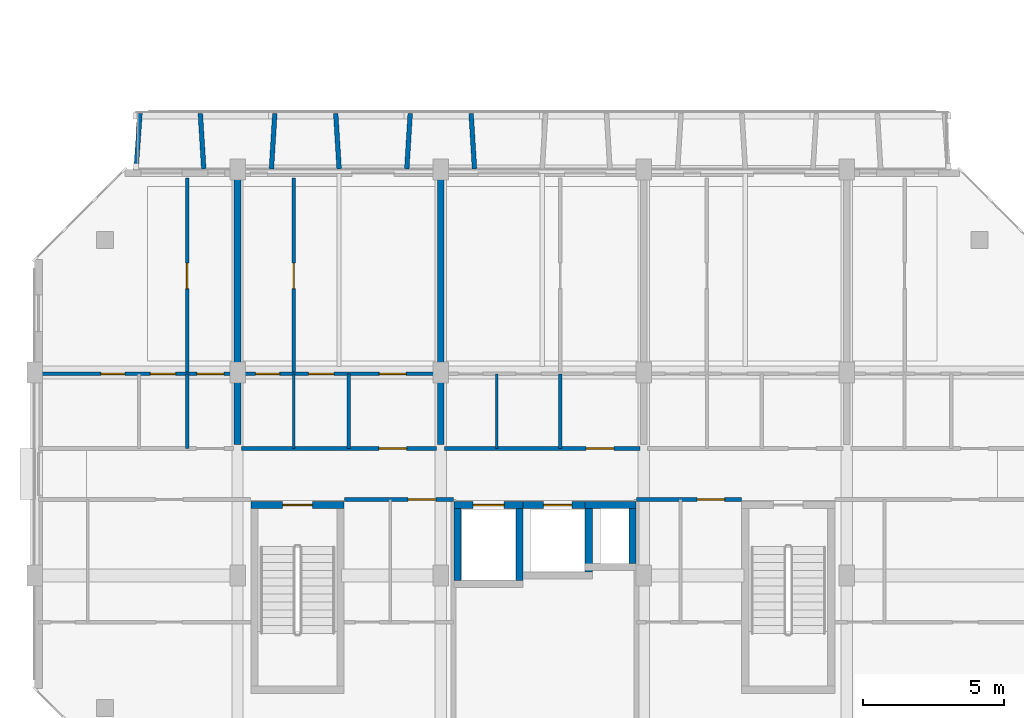
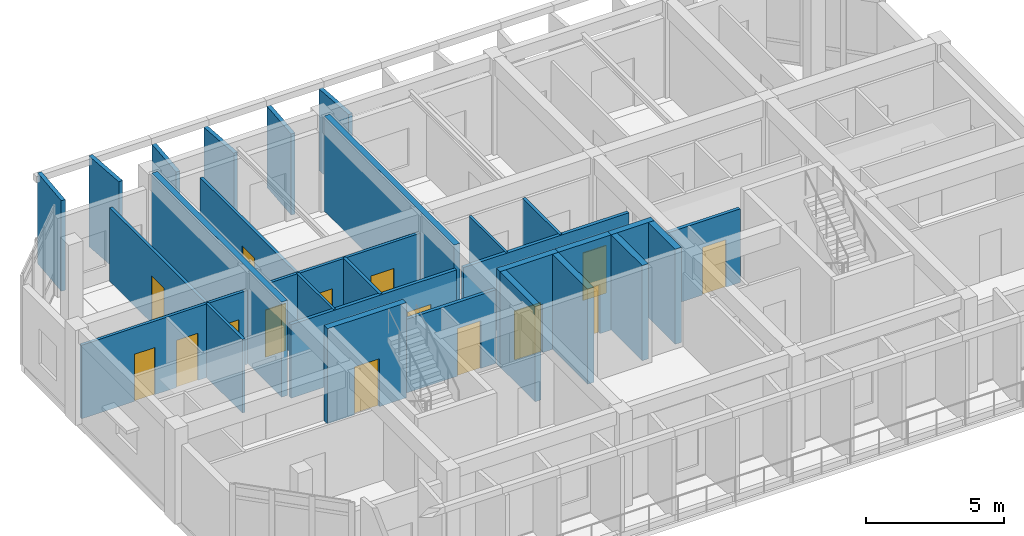
# One storey, part 52 of 85: 29 walls, 15 doors, 15 openings.
"""IFC4 building model written with IfcOpenShell, lengths in metres."""

from ifc_helpers import new_model, si_unit, direction, frame, frame_2d, origin, place, context, subcontext, project, spatial, rectangle, extrude, material, layer, layer_set, type_object, element, fill, save


model = new_model("IFC4")

# Units and contexts
model_context = context("Model", 3, precision=1e-05, world=origin(), true_north=direction((0.0, 1.0)))
body_context = subcontext(model_context, "Body", "Model", "MODEL_VIEW")
ifc_project = project(units=[si_unit("LENGTHUNIT", "METRE"), si_unit("AREAUNIT", "SQUARE_METRE"), si_unit("VOLUMEUNIT", "CUBIC_METRE"), si_unit("PLANEANGLEUNIT", "RADIAN"), si_unit("MASSUNIT", "GRAM", prefix="KILO")], contexts=[model_context])

# Site, building, storey
site_placement = place(None, origin())
site = spatial("IfcSite", under=ifc_project, at=site_placement, CompositionType="ELEMENT")
building_placement = place(site_placement, origin())
building = spatial("IfcBuilding", under=site, at=building_placement, Name="Ochrevale Crest", CompositionType="ELEMENT")
storey_placement = place(building_placement, frame((0.0, 0.0, 4.5)))
storey = spatial("IfcBuildingStorey", under=building, at=storey_placement, Name="L01", CompositionType="ELEMENT", Elevation=4.5)

# Wall, opening, door
ifc_material_1 = material(Name="Gypsum plasterboard", Category="gypsum")
ifc_layer_1 = layer(ifc_material_1, 0.139892578125)
ifc_layer_set_1 = layer_set([ifc_layer_1], Name="Gypsum plasterboard")
wall_type_1 = type_object("IfcWallType", Name="WL-COR-140", PredefinedType="PARTITIONING", material=ifc_layer_set_1)
wall_1_placement = place(storey_placement, frame((7.340087890625, 83.699951171875, 0.0), z_axis=(0.0, 0.0, 1.0), x_axis=(1.0, 0.0, 0.0)))
wall_1 = element("IfcWall", 1, at=wall_1_placement, inside=storey, type_object=wall_type_1, Name="Apartment B-L01-U2 corridor wall", PredefinedType="PARTITIONING", context=body_context, shape_type="SweptSolid", body=[
    extrude(rectangle(XDim=6.919921875, YDim=0.139892578125, at=frame_2d((3.4599609375, 0.0))), origin(), (0.0, 0.0, 1.0), 3.25),
])
opening_1_placement = place(wall_1_placement, frame((4.8701171875, 0.0, 0.0)))
opening_1 = element("IfcOpeningElement", 2, at=opening_1_placement, cuts=wall_1, Name="Opening FD01", PredefinedType="OPENING", context=body_context, shape_type="SweptSolid", body=[
    extrude(rectangle(XDim=0.97998046875, YDim=2.10009765625, at=frame_2d((0.489990234375, 1.050048828125))), frame((0.0, 0.080078125, 0.0), z_axis=(0.0, -1.0, 0.0), x_axis=(1.0, 0.0, 0.0)), (0.0, 0.0, 1.0), 0.159912109375),
])
ifc_material_2 = material(Name="Solid-core FSC hardwood", Category="wood")
door_type_1 = type_object("IfcDoorType", Name="DR-APT-950", OperationType="NOTDEFINED", PredefinedType="DOOR", material=ifc_material_2)
door_1_placement = place(opening_1_placement, origin())
door_1 = element("IfcDoor", 3, at=door_1_placement, inside=storey, type_object=door_type_1, Name="Apartment B-L01-U2 entrance door", OperationType="SINGLE_SWING_LEFT", OverallHeight=2.10009765625, OverallWidth=0.97998046875, PredefinedType="DOOR", context=body_context, shape_type="SweptSolid", body=[
    extrude(rectangle(XDim=0.97998046875, YDim=2.10009765625, at=frame_2d((0.489990234375, 1.050048828125))), frame((0.0, 0.02490234375, 0.0), z_axis=(0.0, -1.0, 0.0), x_axis=(1.0, 0.0, 0.0)), (0.0, 0.0, 1.0), 0.050048828125),
])
fill(opening_1, door_1)

wall_2_placement = place(storey_placement, frame((14.5400390625, 83.699951171875, 0.0), z_axis=(0.0, 0.0, 1.0), x_axis=(1.0, 0.0, 0.0)))
wall_2 = element("IfcWall", 4, at=wall_2_placement, inside=storey, type_object=wall_type_1, Name="Apartment B-L01-U3 corridor wall", PredefinedType="PARTITIONING", context=body_context, shape_type="SweptSolid", body=[
    extrude(rectangle(XDim=6.919921875, YDim=0.139892578125, at=frame_2d((3.4599609375, 0.0))), origin(), (0.0, 0.0, 1.0), 3.25),
])
opening_2_placement = place(wall_2_placement, frame((6.0, 0.0, 0.0), z_axis=(0.0, 0.0, 1.0), x_axis=(-1.0, 0.0, 0.0)))
opening_2 = element("IfcOpeningElement", 5, at=opening_2_placement, cuts=wall_2, Name="Opening FD01", PredefinedType="OPENING", context=body_context, shape_type="SweptSolid", body=[
    extrude(rectangle(XDim=0.97998046875, YDim=2.10009765625, at=frame_2d((0.489990234375, 1.050048828125))), frame((0.0, 0.080078125, 0.0), z_axis=(0.0, -1.0, 0.0), x_axis=(1.0, 0.0, 0.0)), (0.0, 0.0, 1.0), 0.159912109375),
])
door_2_placement = place(opening_2_placement, origin())
door_2 = element("IfcDoor", 6, at=door_2_placement, inside=storey, type_object=door_type_1, Name="Apartment B-L01-U3 entrance door", OperationType="SINGLE_SWING_RIGHT", OverallHeight=2.10009765625, OverallWidth=0.97998046875, PredefinedType="DOOR", context=body_context, shape_type="SweptSolid", body=[
    extrude(rectangle(XDim=0.97998046875, YDim=2.10009765625, at=frame_2d((0.489990234375, 1.050048828125))), frame((0.0, 0.02490234375, 0.0), z_axis=(0.0, -1.0, 0.0), x_axis=(1.0, 0.0, 0.0)), (0.0, 0.0, 1.0), 0.050048828125),
])
fill(opening_2, door_2)

wall_3_placement = place(storey_placement, frame((10.989990234375, 81.89990234375, 0.0), z_axis=(0.0, 0.0, 1.0), x_axis=(1.0, 0.0, 0.0)))
wall_3 = element("IfcWall", 7, at=wall_3_placement, inside=storey, type_object=wall_type_1, Name="Suite B-L01-MW corridor wall", PredefinedType="PARTITIONING", context=body_context, shape_type="SweptSolid", body=[
    extrude(rectangle(XDim=3.8701171875, YDim=0.139892578125, at=frame_2d((1.93505859375, 0.0))), origin(), (0.0, 0.0, 1.0), 3.25),
])
opening_3_placement = place(wall_3_placement, frame((3.23779296875, 0.0, 0.0), z_axis=(0.0, 0.0, 1.0), x_axis=(-1.0, 0.0, 0.0)))
opening_3 = element("IfcOpeningElement", 8, at=opening_3_placement, cuts=wall_3, Name="Opening FD01", PredefinedType="OPENING", context=body_context, shape_type="SweptSolid", body=[
    extrude(rectangle(XDim=0.97998046875, YDim=2.10009765625, at=frame_2d((0.489990234375, 1.050048828125))), frame((0.0, 0.080078125, 0.0), z_axis=(0.0, -1.0, 0.0), x_axis=(1.0, 0.0, 0.0)), (0.0, 0.0, 1.0), 0.159912109375),
])
door_3_placement = place(opening_3_placement, origin())
door_3 = element("IfcDoor", 9, at=door_3_placement, inside=storey, type_object=door_type_1, Name="Suite B-L01-MW entrance door", OperationType="SINGLE_SWING_RIGHT", OverallHeight=2.10009765625, OverallWidth=0.97998046875, PredefinedType="DOOR", context=body_context, shape_type="SweptSolid", body=[
    extrude(rectangle(XDim=0.97998046875, YDim=2.10009765625, at=frame_2d((0.489990234375, 1.050048828125))), frame((0.0, 0.02490234375, 0.0), z_axis=(0.0, -1.0, 0.0), x_axis=(1.0, 0.0, 0.0)), (0.0, 0.0, 1.0), 0.050048828125),
])
fill(opening_3, door_3)

wall_4_placement = place(storey_placement, frame((21.340087890625, 81.89990234375, 0.0), z_axis=(0.0, 0.0, 1.0), x_axis=(1.0, 0.0, 0.0)))
wall_4 = element("IfcWall", 10, at=wall_4_placement, inside=storey, type_object=wall_type_1, Name="Suite B-L01-ME corridor wall", PredefinedType="PARTITIONING", context=body_context, shape_type="SweptSolid", body=[
    extrude(rectangle(XDim=3.719970703125, YDim=0.139892578125, at=frame_2d((1.85986328125, 0.0))), origin(), (0.0, 0.0, 1.0), 3.25),
])
opening_4_placement = place(wall_4_placement, frame((2.151123046875, 0.0, 0.0)))
opening_4 = element("IfcOpeningElement", 11, at=opening_4_placement, cuts=wall_4, Name="Opening FD01", PredefinedType="OPENING", context=body_context, shape_type="SweptSolid", body=[
    extrude(rectangle(XDim=0.97998046875, YDim=2.10009765625, at=frame_2d((0.489990234375, 1.050048828125))), frame((0.0, 0.080078125, 0.0), z_axis=(0.0, -1.0, 0.0), x_axis=(1.0, 0.0, 0.0)), (0.0, 0.0, 1.0), 0.159912109375),
])
door_4_placement = place(opening_4_placement, origin())
door_4 = element("IfcDoor", 12, at=door_4_placement, inside=storey, type_object=door_type_1, Name="Suite B-L01-ME entrance door", OperationType="SINGLE_SWING_LEFT", OverallHeight=2.10009765625, OverallWidth=0.97998046875, PredefinedType="DOOR", context=body_context, shape_type="SweptSolid", body=[
    extrude(rectangle(XDim=0.97998046875, YDim=2.10009765625, at=frame_2d((0.489990234375, 1.050048828125))), frame((0.0, 0.02490234375, 0.0), z_axis=(0.0, -1.0, 0.0), x_axis=(1.0, 0.0, 0.0)), (0.0, 0.0, 1.0), 0.050048828125),
])
fill(opening_4, door_4)

ifc_material_3 = material(Name="Precast concrete C50/60", Category="concrete")
ifc_layer_2 = layer(ifc_material_3, 0.2548828125)
ifc_layer_set_2 = layer_set([ifc_layer_2], Name="Precast concrete C50/60")
wall_type_2 = type_object("IfcWallType", Name="WL-CORE-255", PredefinedType="SHEAR", material=ifc_layer_set_2)
wall_5_placement = place(storey_placement, frame((7.672607421875, 81.699951171875, 0.0), z_axis=(0.0, 0.0, 1.0), x_axis=(1.0, 0.0, 0.0)))
wall_5 = element("IfcWall", 13, at=wall_5_placement, inside=storey, type_object=wall_type_2, Name="Block B L01 Stair 1 precast core shear wall N", PredefinedType="SHEAR", context=body_context, shape_type="SweptSolid", body=[
    extrude(rectangle(XDim=3.304931640625, YDim=0.2548828125, at=frame_2d((1.65234375, 0.0))), origin(), (0.0, 0.0, 1.0), 4.199951171875),
])
opening_5_placement = place(wall_5_placement, frame((2.177490234375, 0.0, 0.0), z_axis=(0.0, 0.0, 1.0), x_axis=(-1.0, 0.0, 0.0)))
opening_5 = element("IfcOpeningElement", 14, at=opening_5_placement, cuts=wall_5, Name="Opening FD03", PredefinedType="OPENING", context=body_context, shape_type="SweptSolid", body=[
    extrude(rectangle(XDim=1.050048828125, YDim=2.1201171875, at=frame_2d((0.52490234375, 1.06005859375))), frame((0.0, 0.137451171875, 0.0), z_axis=(0.0, -1.0, 0.0), x_axis=(1.0, 0.0, 0.0)), (0.0, 0.0, 1.0), 0.27490234375),
])
door_type_2 = type_object("IfcDoorType", Name="DR-ST-1050", OperationType="NOTDEFINED", PredefinedType="DOOR", material=ifc_material_2)
door_5_placement = place(opening_5_placement, origin())
door_5 = element("IfcDoor", 15, at=door_5_placement, inside=storey, type_object=door_type_2, Name="Block B L01 fire stair 1 door", OperationType="SINGLE_SWING_RIGHT", OverallHeight=2.1201171875, OverallWidth=1.050048828125, PredefinedType="DOOR", context=body_context, shape_type="SweptSolid", body=[
    extrude(rectangle(XDim=1.050048828125, YDim=2.1201171875, at=frame_2d((0.52490234375, 1.06005859375))), frame((0.0, 0.02490234375, 0.0), z_axis=(0.0, -1.0, 0.0), x_axis=(1.0, 0.0, 0.0)), (0.0, 0.0, 1.0), 0.050048828125),
])
fill(opening_5, door_5)

wall_6_placement = place(storey_placement, frame((14.87255859375, 81.699951171875, 0.0), z_axis=(0.0, 0.0, 1.0), x_axis=(1.0, 0.0, 0.0)))
wall_6 = element("IfcWall", 16, at=wall_6_placement, inside=storey, type_object=wall_type_2, Name="Block B L01 Lift 1 precast shaft shear wall N", PredefinedType="SHEAR", context=body_context, shape_type="SweptSolid", body=[
    extrude(rectangle(XDim=2.454833984375, YDim=0.2548828125, at=frame_2d((1.2275390625, 0.0))), origin(), (0.0, 0.0, 1.0), 4.199951171875),
])
opening_6_placement = place(wall_6_placement, frame((0.677490234375, 0.0, 0.0)))
opening_6 = element("IfcOpeningElement", 17, at=opening_6_placement, cuts=wall_6, Name="Opening LD01", PredefinedType="OPENING", context=body_context, shape_type="SweptSolid", body=[
    extrude(rectangle(XDim=1.10009765625, YDim=2.14990234375, at=frame_2d((0.550048828125, 1.074951171875))), frame((0.0, 0.137451171875, 0.0), z_axis=(0.0, -1.0, 0.0), x_axis=(1.0, 0.0, 0.0)), (0.0, 0.0, 1.0), 0.27490234375),
])
door_type_3 = type_object("IfcDoorType", Name="DR-LIFT-1100", OperationType="NOTDEFINED", PredefinedType="DOOR", material=ifc_material_2)
door_6_placement = place(opening_6_placement, origin())
door_6 = element("IfcDoor", 18, at=door_6_placement, inside=storey, type_object=door_type_3, Name="Lift LF-B1 L01 sliding landing door", OperationType="SLIDING_TO_LEFT", OverallHeight=2.14990234375, OverallWidth=1.10009765625, PredefinedType="DOOR", context=body_context, shape_type="SweptSolid", body=[
    extrude(rectangle(XDim=1.10009765625, YDim=2.14990234375, at=frame_2d((0.550048828125, 1.074951171875))), frame((0.0, 0.02490234375, 0.0), z_axis=(0.0, -1.0, 0.0), x_axis=(1.0, 0.0, 0.0)), (0.0, 0.0, 1.0), 0.050048828125),
])
fill(opening_6, door_6)

# Walls
for number, where, z_axis, x_axis, name in (
    (19, (15.0, 79.027587890625, 0.0), (0.0, 0.0, 1.0), (0.0, 1.0, 0.0), "Block B L01 Lift 1 precast shaft shear wall W"),
    (20, (17.199951171875, 79.027587890625, 0.0), (0.0, 0.0, 1.0), (0.0, 1.0, 0.0), "Block B L01 Lift 1 precast shaft shear wall E"),
):
    element("IfcWall", number, at=place(storey_placement, frame(where, z_axis=z_axis, x_axis=x_axis)), inside=storey, type_object=wall_type_2, Name=name, PredefinedType="SHEAR", context=body_context, shape_type="SweptSolid", body=[
        extrude(rectangle(XDim=2.544921875, YDim=0.2548828125, at=frame_2d((1.2724609375, 0.0))), origin(), (0.0, 0.0, 1.0), 4.199951171875),
    ])

# Wall, opening, door
wall_7_placement = place(storey_placement, frame((17.322509765625, 81.699951171875, 0.0), z_axis=(0.0, 0.0, 1.0), x_axis=(1.0, 0.0, 0.0)))
wall_7 = element("IfcWall", 21, at=wall_7_placement, inside=storey, type_object=wall_type_2, Name="Block B L01 Lift 2 precast shaft shear wall N", PredefinedType="SHEAR", context=body_context, shape_type="SweptSolid", body=[
    extrude(rectangle(XDim=2.455078125, YDim=0.2548828125, at=frame_2d((1.2275390625, 0.0))), origin(), (0.0, 0.0, 1.0), 4.199951171875),
])
opening_7_placement = place(wall_7_placement, frame((0.7275390625, 0.0, 0.0)))
opening_7 = element("IfcOpeningElement", 22, at=opening_7_placement, cuts=wall_7, Name="Opening LD02", PredefinedType="OPENING", context=body_context, shape_type="SweptSolid", body=[
    extrude(rectangle(XDim=1.0, YDim=2.14990234375, at=frame_2d((0.5, 1.074951171875))), frame((0.0, 0.137451171875, 0.0), z_axis=(0.0, -1.0, 0.0), x_axis=(1.0, 0.0, 0.0)), (0.0, 0.0, 1.0), 0.27490234375),
])
door_type_4 = type_object("IfcDoorType", Name="DR-LIFT-1000", OperationType="NOTDEFINED", PredefinedType="DOOR", material=ifc_material_2)
door_7_placement = place(opening_7_placement, origin())
door_7 = element("IfcDoor", 23, at=door_7_placement, inside=storey, type_object=door_type_4, Name="Lift LP-B2 L01 sliding landing door", OperationType="SLIDING_TO_RIGHT", OverallHeight=2.14990234375, OverallWidth=1.0, PredefinedType="DOOR", context=body_context, shape_type="SweptSolid", body=[
    extrude(rectangle(XDim=1.0, YDim=2.14990234375, at=frame_2d((0.5, 1.074951171875))), frame((0.0, 0.02490234375, 0.0), z_axis=(0.0, -1.0, 0.0), x_axis=(1.0, 0.0, 0.0)), (0.0, 0.0, 1.0), 0.050048828125),
])
fill(opening_7, door_7)

# Walls
wall_8_placement = place(storey_placement, frame((19.64990234375, 79.327392578125, 0.0), z_axis=(0.0, 0.0, 1.0), x_axis=(0.0, 1.0, 0.0)))
element("IfcWall", 24, at=wall_8_placement, inside=storey, type_object=wall_type_2, Name="Block B L01 Lift 2 precast shaft shear wall E", PredefinedType="SHEAR", context=body_context, shape_type="SweptSolid", body=[
    extrude(rectangle(XDim=2.2451171875, YDim=0.2548828125, at=frame_2d((1.12255859375, 0.0))), origin(), (0.0, 0.0, 1.0), 4.199951171875),
])
wall_9_placement = place(storey_placement, frame((19.5224609375, 81.699951171875, 0.0), z_axis=(0.0, 0.0, 1.0), x_axis=(1.0, 0.0, 0.0)))
element("IfcWall", 25, at=wall_9_placement, inside=storey, type_object=wall_type_2, Name="Block B L01 services riser shaft core wall N", PredefinedType="SHEAR", context=body_context, shape_type="SweptSolid", body=[
    extrude(rectangle(XDim=1.804931640625, YDim=0.2548828125, at=frame_2d((0.90234375, 0.0))), origin(), (0.0, 0.0, 1.0), 4.199951171875),
])
wall_10_placement = place(storey_placement, frame((21.199951171875, 79.62744140625, 0.0), z_axis=(0.0, 0.0, 1.0), x_axis=(0.0, 1.0, 0.0)))
element("IfcWall", 26, at=wall_10_placement, inside=storey, type_object=wall_type_2, Name="Block B L01 services riser shaft core wall E", PredefinedType="SHEAR", context=body_context, shape_type="SweptSolid", body=[
    extrude(rectangle(XDim=1.945068359375, YDim=0.2548828125, at=frame_2d((0.97265625, 0.0))), origin(), (0.0, 0.0, 1.0), 4.199951171875),
])
ifc_material_4 = material(Name="Precast concrete C40/50", Category="concrete")
ifc_layer_3 = layer(ifc_material_4, 0.1650390625)
ifc_layer_set_3 = layer_set([ifc_layer_3], Name="Precast concrete C40/50")
wall_type_3 = type_object("IfcWallType", Name="WL-HC-CHEEK-165", PredefinedType="ELEMENTEDWALL", material=ifc_layer_set_3)
wall_11_placement = place(storey_placement, frame((3.60009765625, 93.6201171875, 0.0), z_axis=(0.0, 0.0, 1.0), x_axis=(0.071194071069, 0.997462482625, 0.0)))
element("IfcWall", 27, at=wall_11_placement, inside=storey, type_object=wall_type_3, Name="Block B L01 N precast honeycomb cheek 1", PredefinedType="ELEMENTEDWALL", context=body_context, shape_type="SweptSolid", body=[
    extrude(rectangle(XDim=1.96484375, YDim=0.1650390625, at=frame_2d((0.982421875, 0.0))), origin(), (0.0, 0.0, 1.0), 4.0),
])
wall_12_placement = place(storey_placement, frame((6.0, 93.6201171875, 0.0), z_axis=(0.0, 0.0, 1.0), x_axis=(-0.061170732449, 0.998127317276, 0.0)))
element("IfcWall", 28, at=wall_12_placement, inside=storey, type_object=wall_type_3, Name="Block B L01 N precast honeycomb cheek 2", PredefinedType="ELEMENTEDWALL", context=body_context, shape_type="SweptSolid", body=[
    extrude(rectangle(XDim=1.963623046875, YDim=0.1650390625, at=frame_2d((0.98193359375, 0.0))), origin(), (0.0, 0.0, 1.0), 4.0),
])
for number, where, z_axis, x_axis, name in (
    (29, (8.39990234375, 93.6201171875, 0.0), (0.0, 0.0, 1.0), (0.061170732449, 0.998127317276, 0.0), "Block B L01 N precast honeycomb cheek 3"),
    (30, (10.800048828125, 93.6201171875, 0.0), (0.0, 0.0, 1.0), (-0.061170732449, 0.998127317276, 0.0), "Block B L01 N precast honeycomb cheek 4"),
    (31, (13.199951171875, 93.6201171875, 0.0), (0.0, 0.0, 1.0), (0.061170732449, 0.998127317276, 0.0), "Block B L01 N precast honeycomb cheek 5"),
):
    element("IfcWall", number, at=place(storey_placement, frame(where, z_axis=z_axis, x_axis=x_axis)), inside=storey, type_object=wall_type_3, Name=name, PredefinedType="ELEMENTEDWALL", context=body_context, shape_type="SweptSolid", body=[
        extrude(rectangle(XDim=1.963623046875, YDim=0.1650390625, at=frame_2d((0.98193359375, 0.0))), origin(), (0.0, 0.0, 1.0), 3.580078125),
    ])
wall_13_placement = place(storey_placement, frame((15.60009765625, 93.6201171875, 0.0), z_axis=(0.0, 0.0, 1.0), x_axis=(-0.061170732449, 0.998127317276, 0.0)))
element("IfcWall", 32, at=wall_13_placement, inside=storey, type_object=wall_type_3, Name="Block B L01 N precast honeycomb cheek 6", PredefinedType="ELEMENTEDWALL", context=body_context, shape_type="SweptSolid", body=[
    extrude(rectangle(XDim=1.963623046875, YDim=0.1650390625, at=frame_2d((0.98193359375, 0.0))), origin(), (0.0, 0.0, 1.0), 3.60009765625),
])
ifc_layer_4 = layer(ifc_material_1, 0.1201171875)
ifc_layer_set_4 = layer_set([ifc_layer_4], Name="Gypsum plasterboard")
wall_type_4 = type_object("IfcWallType", Name="WL-PART-120", PredefinedType="PARTITIONING", material=ifc_layer_set_4)
wall_14_placement = place(storey_placement, frame((5.409912109375, 83.699951171875, 0.0), z_axis=(0.0, 0.0, 1.0), x_axis=(0.0, 1.0, 0.0)))
element("IfcWall", 33, at=wall_14_placement, inside=storey, type_object=wall_type_4, Name="Apartment B-L01-U1 kitchen-foyer wall", PredefinedType="PARTITIONING", context=body_context, shape_type="SweptSolid", body=[
    extrude(rectangle(XDim=2.650146484375, YDim=0.1201171875, at=frame_2d((1.3251953125, 0.0))), origin(), (0.0, 0.0, 1.0), 3.25),
])

# Wall, openings, doors
wall_15_placement = place(storey_placement, frame((0.139892578125, 86.35009765625, 0.0), z_axis=(0.0, 0.0, 1.0), x_axis=(1.0, 0.0, 0.0)))
wall_15 = element("IfcWall", 34, at=wall_15_placement, inside=storey, type_object=wall_type_4, Name="Apartment B-L01-U1 central partition", PredefinedType="PARTITIONING", context=body_context, shape_type="SweptSolid", body=[
    extrude(rectangle(XDim=6.920166015625, YDim=0.1201171875, at=frame_2d((3.4599609375, 0.0))), origin(), (0.0, 0.0, 1.0), 3.25),
])
opening_8_placement = place(wall_15_placement, frame((2.2099609375, 0.0, 0.0)))
opening_8 = element("IfcOpeningElement", 35, at=opening_8_placement, cuts=wall_15, Name="Opening ID01", PredefinedType="OPENING", context=body_context, shape_type="SweptSolid", body=[
    extrude(rectangle(XDim=0.85009765625, YDim=2.080078125, at=frame_2d((0.425048828125, 1.0400390625))), frame((0.0, 0.070068359375, 0.0), z_axis=(0.0, -1.0, 0.0), x_axis=(1.0, 0.0, 0.0)), (0.0, 0.0, 1.0), 0.14013671875),
])
opening_9_placement = place(wall_15_placement, frame((4.864990234375, 0.0, 0.0), z_axis=(0.0, 0.0, 1.0), x_axis=(-1.0, 0.0, 0.0)))
opening_9 = element("IfcOpeningElement", 36, at=opening_9_placement, cuts=wall_15, Name="Opening ID02", PredefinedType="OPENING", context=body_context, shape_type="SweptSolid", body=[
    extrude(rectangle(XDim=0.89990234375, YDim=2.080078125, at=frame_2d((0.449951171875, 1.0400390625))), frame((0.0, 0.070068359375, 0.0), z_axis=(0.0, -1.0, 0.0), x_axis=(1.0, 0.0, 0.0)), (0.0, 0.0, 1.0), 0.14013671875),
])
opening_10_placement = place(wall_15_placement, frame((5.6201171875, 0.0, 0.0)))
opening_10 = element("IfcOpeningElement", 37, at=opening_10_placement, cuts=wall_15, Name="Opening ID06", PredefinedType="OPENING", context=body_context, shape_type="SweptSolid", body=[
    extrude(rectangle(XDim=0.949951171875, YDim=2.080078125, at=frame_2d((0.47509765625, 1.0400390625))), frame((0.0, 0.070068359375, 0.0), z_axis=(0.0, -1.0, 0.0), x_axis=(1.0, 0.0, 0.0)), (0.0, 0.0, 1.0), 0.14013671875),
])
door_type_5 = type_object("IfcDoorType", Name="DR-INT-900", OperationType="NOTDEFINED", PredefinedType="DOOR", material=ifc_material_2)
door_8_placement = place(opening_9_placement, origin())
door_8 = element("IfcDoor", 38, at=door_8_placement, inside=storey, type_object=door_type_5, Name="Apartment B-L01-U1 Kitchen door", OperationType="SINGLE_SWING_RIGHT", OverallHeight=2.080078125, OverallWidth=0.89990234375, PredefinedType="DOOR", context=body_context, shape_type="SweptSolid", body=[
    extrude(rectangle(XDim=0.89990234375, YDim=2.080078125, at=frame_2d((0.449951171875, 1.0400390625))), frame((0.0, 0.02490234375, 0.0), z_axis=(0.0, -1.0, 0.0), x_axis=(1.0, 0.0, 0.0)), (0.0, 0.0, 1.0), 0.050048828125),
])
fill(opening_9, door_8)
door_type_6 = type_object("IfcDoorType", Name="DR-INT-950", OperationType="NOTDEFINED", PredefinedType="DOOR", material=ifc_material_2)
door_9_placement = place(opening_10_placement, origin())
door_9 = element("IfcDoor", 39, at=door_9_placement, inside=storey, type_object=door_type_6, Name="Apartment B-L01-U1 Living Foyer door", OperationType="SINGLE_SWING_LEFT", OverallHeight=2.080078125, OverallWidth=0.949951171875, PredefinedType="DOOR", context=body_context, shape_type="SweptSolid", body=[
    extrude(rectangle(XDim=0.949951171875, YDim=2.080078125, at=frame_2d((0.47509765625, 1.0400390625))), frame((0.0, 0.02490234375, 0.0), z_axis=(0.0, -1.0, 0.0), x_axis=(1.0, 0.0, 0.0)), (0.0, 0.0, 1.0), 0.050048828125),
])
fill(opening_10, door_9)
door_type_7 = type_object("IfcDoorType", Name="DR-WC-850", OperationType="NOTDEFINED", PredefinedType="DOOR", material=ifc_material_2)
door_10_placement = place(opening_8_placement, origin())
door_10 = element("IfcDoor", 40, at=door_10_placement, inside=storey, type_object=door_type_7, Name="Apartment B-L01-U1 Bathroom door", OperationType="SINGLE_SWING_LEFT", OverallHeight=2.080078125, OverallWidth=0.85009765625, PredefinedType="DOOR", context=body_context, shape_type="SweptSolid", body=[
    extrude(rectangle(XDim=0.85009765625, YDim=2.080078125, at=frame_2d((0.425048828125, 1.0400390625))), frame((0.0, 0.02490234375, 0.0), z_axis=(0.0, -1.0, 0.0), x_axis=(1.0, 0.0, 0.0)), (0.0, 0.0, 1.0), 0.050048828125),
])
fill(opening_8, door_10)

# Wall, opening, door
wall_16_placement = place(storey_placement, frame((5.409912109375, 86.35009765625, 0.0), z_axis=(0.0, 0.0, 1.0), x_axis=(0.0, 1.0, 0.0)))
wall_16 = element("IfcWall", 41, at=wall_16_placement, inside=storey, type_object=wall_type_4, Name="Apartment B-L01-U1 bedroom partition", PredefinedType="PARTITIONING", context=body_context, shape_type="SweptSolid", body=[
    extrude(rectangle(XDim=6.949951171875, YDim=0.1201171875, at=frame_2d((3.47509765625, 0.0))), origin(), (0.0, 0.0, 1.0), 3.25),
])
opening_11_placement = place(wall_16_placement, frame((3.9248046875, 0.0, 0.0), z_axis=(0.0, 0.0, 1.0), x_axis=(-1.0, 0.0, 0.0)))
opening_11 = element("IfcOpeningElement", 42, at=opening_11_placement, cuts=wall_16, Name="Opening ID02", PredefinedType="OPENING", context=body_context, shape_type="SweptSolid", body=[
    extrude(rectangle(XDim=0.89990234375, YDim=2.080078125, at=frame_2d((0.449951171875, 1.0400390625))), frame((0.0, 0.070068359375, 0.0), z_axis=(0.0, -1.0, 0.0), x_axis=(1.0, 0.0, 0.0)), (0.0, 0.0, 1.0), 0.14013671875),
])
door_11_placement = place(opening_11_placement, origin())
door_11 = element("IfcDoor", 43, at=door_11_placement, inside=storey, type_object=door_type_5, Name="Apartment B-L01-U1 Twin Bedroom door", OperationType="SINGLE_SWING_RIGHT", OverallHeight=2.080078125, OverallWidth=0.89990234375, PredefinedType="DOOR", context=body_context, shape_type="SweptSolid", body=[
    extrude(rectangle(XDim=0.89990234375, YDim=2.080078125, at=frame_2d((0.449951171875, 1.0400390625))), frame((0.0, 0.02490234375, 0.0), z_axis=(0.0, -1.0, 0.0), x_axis=(1.0, 0.0, 0.0)), (0.0, 0.0, 1.0), 0.050048828125),
])
fill(opening_11, door_11)

# Wall
wall_17_placement = place(storey_placement, frame((11.139892578125, 83.699951171875, 0.0), z_axis=(0.0, 0.0, 1.0), x_axis=(0.0, 1.0, 0.0)))
element("IfcWall", 44, at=wall_17_placement, inside=storey, type_object=wall_type_4, Name="Apartment B-L01-U2 kitchen-foyer wall", PredefinedType="PARTITIONING", context=body_context, shape_type="SweptSolid", body=[
    extrude(rectangle(XDim=2.650146484375, YDim=0.1201171875, at=frame_2d((1.3251953125, 0.0))), origin(), (0.0, 0.0, 1.0), 3.25),
])

# Wall, openings, doors
wall_18_placement = place(storey_placement, frame((7.340087890625, 86.35009765625, 0.0), z_axis=(0.0, 0.0, 1.0), x_axis=(1.0, 0.0, 0.0)))
wall_18 = element("IfcWall", 45, at=wall_18_placement, inside=storey, type_object=wall_type_4, Name="Apartment B-L01-U2 central partition", PredefinedType="PARTITIONING", context=body_context, shape_type="SweptSolid", body=[
    extrude(rectangle(XDim=6.919921875, YDim=0.1201171875, at=frame_2d((3.4599609375, 0.0))), origin(), (0.0, 0.0, 1.0), 3.25),
])
opening_12_placement = place(wall_18_placement, frame((1.35009765625, 0.0, 0.0), z_axis=(0.0, 0.0, 1.0), x_axis=(-1.0, 0.0, 0.0)))
opening_12 = element("IfcOpeningElement", 46, at=opening_12_placement, cuts=wall_18, Name="Opening ID01", PredefinedType="OPENING", context=body_context, shape_type="SweptSolid", body=[
    extrude(rectangle(XDim=0.85009765625, YDim=2.080078125, at=frame_2d((0.425048828125, 1.0400390625))), frame((0.0, 0.070068359375, 0.0), z_axis=(0.0, -1.0, 0.0), x_axis=(1.0, 0.0, 0.0)), (0.0, 0.0, 1.0), 0.14013671875),
])
opening_13_placement = place(wall_18_placement, frame((2.375, 0.0, 0.0)))
opening_13 = element("IfcOpeningElement", 47, at=opening_13_placement, cuts=wall_18, Name="Opening ID02", PredefinedType="OPENING", context=body_context, shape_type="SweptSolid", body=[
    extrude(rectangle(XDim=0.89990234375, YDim=2.080078125, at=frame_2d((0.449951171875, 1.0400390625))), frame((0.0, 0.070068359375, 0.0), z_axis=(0.0, -1.0, 0.0), x_axis=(1.0, 0.0, 0.0)), (0.0, 0.0, 1.0), 0.14013671875),
])
opening_14_placement = place(wall_18_placement, frame((5.8349609375, 0.0, 0.0), z_axis=(0.0, 0.0, 1.0), x_axis=(-1.0, 0.0, 0.0)))
opening_14 = element("IfcOpeningElement", 48, at=opening_14_placement, cuts=wall_18, Name="Opening ID06", PredefinedType="OPENING", context=body_context, shape_type="SweptSolid", body=[
    extrude(rectangle(XDim=0.949951171875, YDim=2.080078125, at=frame_2d((0.47509765625, 1.0400390625))), frame((0.0, 0.070068359375, 0.0), z_axis=(0.0, -1.0, 0.0), x_axis=(1.0, 0.0, 0.0)), (0.0, 0.0, 1.0), 0.14013671875),
])
door_12_placement = place(opening_13_placement, origin())
door_12 = element("IfcDoor", 49, at=door_12_placement, inside=storey, type_object=door_type_5, Name="Apartment B-L01-U2 Kitchen door", OperationType="SINGLE_SWING_LEFT", OverallHeight=2.080078125, OverallWidth=0.89990234375, PredefinedType="DOOR", context=body_context, shape_type="SweptSolid", body=[
    extrude(rectangle(XDim=0.89990234375, YDim=2.080078125, at=frame_2d((0.449951171875, 1.0400390625))), frame((0.0, 0.02490234375, 0.0), z_axis=(0.0, -1.0, 0.0), x_axis=(1.0, 0.0, 0.0)), (0.0, 0.0, 1.0), 0.050048828125),
])
fill(opening_13, door_12)
door_13_placement = place(opening_14_placement, origin())
door_13 = element("IfcDoor", 50, at=door_13_placement, inside=storey, type_object=door_type_6, Name="Apartment B-L01-U2 Living Foyer door", OperationType="SINGLE_SWING_RIGHT", OverallHeight=2.080078125, OverallWidth=0.949951171875, PredefinedType="DOOR", context=body_context, shape_type="SweptSolid", body=[
    extrude(rectangle(XDim=0.949951171875, YDim=2.080078125, at=frame_2d((0.47509765625, 1.0400390625))), frame((0.0, 0.02490234375, 0.0), z_axis=(0.0, -1.0, 0.0), x_axis=(1.0, 0.0, 0.0)), (0.0, 0.0, 1.0), 0.050048828125),
])
fill(opening_14, door_13)
door_14_placement = place(opening_12_placement, origin())
door_14 = element("IfcDoor", 51, at=door_14_placement, inside=storey, type_object=door_type_7, Name="Apartment B-L01-U2 Bathroom door", OperationType="SINGLE_SWING_RIGHT", OverallHeight=2.080078125, OverallWidth=0.85009765625, PredefinedType="DOOR", context=body_context, shape_type="SweptSolid", body=[
    extrude(rectangle(XDim=0.85009765625, YDim=2.080078125, at=frame_2d((0.425048828125, 1.0400390625))), frame((0.0, 0.02490234375, 0.0), z_axis=(0.0, -1.0, 0.0), x_axis=(1.0, 0.0, 0.0)), (0.0, 0.0, 1.0), 0.050048828125),
])
fill(opening_12, door_14)

# Wall, opening, door
wall_19_placement = place(storey_placement, frame((9.18994140625, 86.35009765625, 0.0), z_axis=(0.0, 0.0, 1.0), x_axis=(0.0, 1.0, 0.0)))
wall_19 = element("IfcWall", 52, at=wall_19_placement, inside=storey, type_object=wall_type_4, Name="Apartment B-L01-U2 bedroom partition", PredefinedType="PARTITIONING", context=body_context, shape_type="SweptSolid", body=[
    extrude(rectangle(XDim=6.949951171875, YDim=0.1201171875, at=frame_2d((3.47509765625, 0.0))), origin(), (0.0, 0.0, 1.0), 3.25),
])
opening_15_placement = place(wall_19_placement, frame((3.02490234375, 0.0, 0.0)))
opening_15 = element("IfcOpeningElement", 53, at=opening_15_placement, cuts=wall_19, Name="Opening ID02", PredefinedType="OPENING", context=body_context, shape_type="SweptSolid", body=[
    extrude(rectangle(XDim=0.89990234375, YDim=2.080078125, at=frame_2d((0.449951171875, 1.0400390625))), frame((0.0, 0.070068359375, 0.0), z_axis=(0.0, -1.0, 0.0), x_axis=(1.0, 0.0, 0.0)), (0.0, 0.0, 1.0), 0.14013671875),
])
door_15_placement = place(opening_15_placement, origin())
door_15 = element("IfcDoor", 54, at=door_15_placement, inside=storey, type_object=door_type_5, Name="Apartment B-L01-U2 Double Bedroom door", OperationType="SINGLE_SWING_LEFT", OverallHeight=2.080078125, OverallWidth=0.89990234375, PredefinedType="DOOR", context=body_context, shape_type="SweptSolid", body=[
    extrude(rectangle(XDim=0.89990234375, YDim=2.080078125, at=frame_2d((0.449951171875, 1.0400390625))), frame((0.0, 0.02490234375, 0.0), z_axis=(0.0, -1.0, 0.0), x_axis=(1.0, 0.0, 0.0)), (0.0, 0.0, 1.0), 0.050048828125),
])
fill(opening_15, door_15)

# Walls
wall_20_placement = place(storey_placement, frame((18.639892578125, 83.699951171875, 0.0), z_axis=(0.0, 0.0, 1.0), x_axis=(0.0, 1.0, 0.0)))
element("IfcWall", 55, at=wall_20_placement, inside=storey, type_object=wall_type_4, Name="Apartment B-L01-U3 kitchen-foyer wall", PredefinedType="PARTITIONING", context=body_context, shape_type="SweptSolid", body=[
    extrude(rectangle(XDim=2.650146484375, YDim=0.1201171875, at=frame_2d((1.3251953125, 0.0))), origin(), (0.0, 0.0, 1.0), 3.25),
])
ifc_layer_5 = layer(ifc_material_3, 0.239990234375)
ifc_layer_set_5 = layer_set([ifc_layer_5], Name="Precast concrete C50/60")
wall_type_5 = type_object("IfcWallType", Name="WL-SHEAR-240", PredefinedType="SHEAR", material=ifc_layer_set_5)
for number, where, z_axis, x_axis, name in (
    (56, (7.199951171875, 83.85009765625, 0.0), (0.0, 0.0, 1.0), (0.0, 1.0, 0.0), "Block B L01 load-bearing precast cross-wall X=7.2"),
    (57, (14.39990234375, 83.85009765625, 0.0), (0.0, 0.0, 1.0), (0.0, 1.0, 0.0), "Block B L01 load-bearing precast cross-wall X=14.4"),
):
    element("IfcWall", number, at=place(storey_placement, frame(where, z_axis=z_axis, x_axis=x_axis)), inside=storey, type_object=wall_type_5, Name=name, PredefinedType="SHEAR", context=body_context, shape_type="SweptSolid", body=[
        extrude(rectangle(XDim=9.39990234375, YDim=0.239990234375, at=frame_2d((4.699951171875, 0.0))), origin(), (0.0, 0.0, 1.0), 4.199951171875),
    ])
ifc_layer_6 = layer(ifc_material_1, 0.10009765625)
ifc_layer_set_6 = layer_set([ifc_layer_6], Name="Gypsum plasterboard")
wall_type_6 = type_object("IfcWallType", Name="WL-WET-100", PredefinedType="PARTITIONING", material=ifc_layer_set_6)
for number, where, z_axis, x_axis, name in (
    (58, (9.18994140625, 83.699951171875, 0.0), (0.0, 0.0, 1.0), (0.0, 1.0, 0.0), "Apartment B-L01-U2 bath-kitchen wall"),
    (59, (16.389892578125, 83.699951171875, 0.0), (0.0, 0.0, 1.0), (0.0, 1.0, 0.0), "Apartment B-L01-U3 bath-kitchen wall"),
):
    element("IfcWall", number, at=place(storey_placement, frame(where, z_axis=z_axis, x_axis=x_axis)), inside=storey, type_object=wall_type_6, Name=name, PredefinedType="PARTITIONING", context=body_context, shape_type="SweptSolid", body=[
        extrude(rectangle(XDim=2.650146484375, YDim=0.10009765625, at=frame_2d((1.3251953125, 0.0))), origin(), (0.0, 0.0, 1.0), 3.25),
    ])

save(model, "model.ifc")
